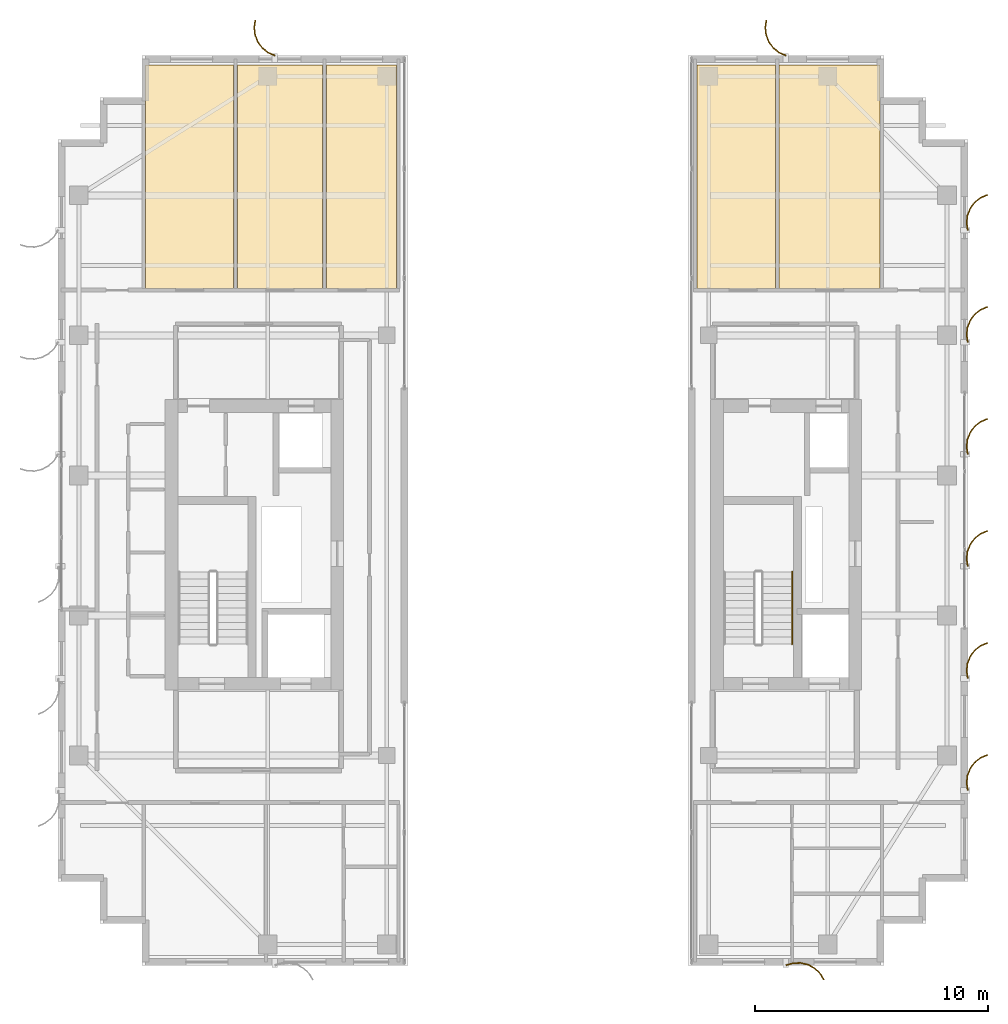
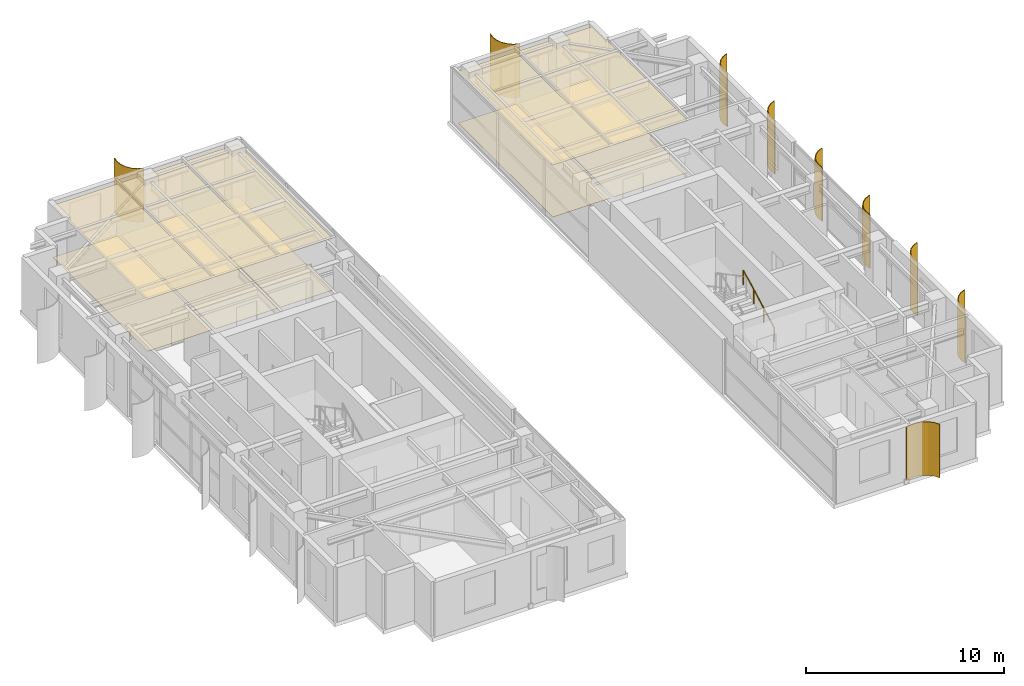
# One storey, part 24 of 24: 10 coverings, 9 shading devices, 1 railing.
"""IFC4 building model written with IfcOpenShell, lengths in metres."""

from ifc_helpers import new_model, si_unit, direction, frame, origin, origin_2d, place, context, subcontext, project, spatial, polyline, circle, outline, extrude, source, transform, mapped, material, layer, layer_set, type_object, element, save


model = new_model("IFC4")

# Units and contexts
model_context = context("Model", 3, precision=1e-05, world=origin(), true_north=direction((0.0, 1.0)))
body_context = subcontext(model_context, "Body", "Model", "MODEL_VIEW")
ifc_project = project(units=[si_unit("LENGTHUNIT", "METRE"), si_unit("AREAUNIT", "SQUARE_METRE"), si_unit("VOLUMEUNIT", "CUBIC_METRE"), si_unit("PLANEANGLEUNIT", "RADIAN"), si_unit("MASSUNIT", "GRAM", prefix="KILO")], contexts=[model_context])

# Site, building, storey
site_placement = place(None, origin())
site = spatial("IfcSite", under=ifc_project, at=site_placement, CompositionType="ELEMENT")
building_placement = place(site_placement, origin())
building = spatial("IfcBuilding", under=site, at=building_placement, Name="Khoralis Quay Care Tower", CompositionType="ELEMENT")
storey_placement = place(building_placement, frame((0.0, 0.0, 238.5)))
storey = spatial("IfcBuildingStorey", under=building, at=storey_placement, Name="L62", CompositionType="ELEMENT", Elevation=238.5)

# Coverings
ifc_material_1 = material(Name="Mineral-fibre acoustic ceiling tile")
ifc_layer_1 = layer(ifc_material_1, 0.01806640625)
ifc_layer_set_1 = layer_set([ifc_layer_1], Name="Mineral-fibre acoustic ceiling tile")
covering_type_1 = type_object("IfcCoveringType", Name="COV-CEIL-AC18", PredefinedType="CEILING", material=ifc_layer_set_1)
covering_1_placement = place(storey_placement, frame((0.0, 0.0, 3.2119140625)))
element("IfcCovering", 1, at=covering_1_placement, inside=storey, type_object=covering_type_1, Name="Suspended Acoustic Ceiling SP-L62-WN-COM0", PredefinedType="CEILING", context=body_context, shape_type="SweptSolid", body=[
    extrude(outline(polyline([(6.760009765625, 32.02001953125), (10.530029296875, 32.02001953125), (10.530029296875, 41.580078125), (6.760009765625, 41.580078125), (6.760009765625, 32.02001953125)])), origin(), (0.0, 0.0, 1.0), 0.01806640625),
])
covering_2_placement = place(storey_placement, frame((0.0, 0.0, 3.2119140625)))
element("IfcCovering", 2, at=covering_2_placement, inside=storey, type_object=covering_type_1, Name="Suspended Acoustic Ceiling SP-L62-WN-COM1", PredefinedType="CEILING", context=body_context, shape_type="SweptSolid", body=[
    extrude(outline(polyline([(10.68994140625, 32.02001953125), (14.35009765625, 32.02001953125), (14.35009765625, 41.580078125), (10.68994140625, 41.580078125), (10.68994140625, 32.02001953125)])), origin(), (0.0, 0.0, 1.0), 0.01806640625),
])
covering_3_placement = place(storey_placement, frame((0.0, 0.0, 3.2119140625)))
element("IfcCovering", 3, at=covering_3_placement, inside=storey, type_object=covering_type_1, Name="Suspended Acoustic Ceiling SP-L62-WN-COM2", PredefinedType="CEILING", context=body_context, shape_type="SweptSolid", body=[
    extrude(outline(polyline([(14.510009765625, 32.02001953125), (17.52001953125, 32.02001953125), (17.52001953125, 41.580078125), (14.510009765625, 41.580078125), (14.510009765625, 32.02001953125)])), origin(), (0.0, 0.0, 1.0), 0.01806640625),
])
covering_4_placement = place(storey_placement, frame((0.0, 0.0, 3.2119140625)))
element("IfcCovering", 4, at=covering_4_placement, inside=storey, type_object=covering_type_1, Name="Suspended Acoustic Ceiling SP-L62-EN-COM0", PredefinedType="CEILING", context=body_context, shape_type="SweptSolid", body=[
    extrude(outline(polyline([(30.3798828125, 32.02001953125), (33.75, 32.02001953125), (33.75, 41.580078125), (30.3798828125, 41.580078125), (30.3798828125, 32.02001953125)])), origin(), (0.0, 0.0, 1.0), 0.01806640625),
])
covering_5_placement = place(storey_placement, frame((0.0, 0.0, 3.2119140625)))
element("IfcCovering", 5, at=covering_5_placement, inside=storey, type_object=covering_type_1, Name="Suspended Acoustic Ceiling SP-L62-EN-COM1", PredefinedType="CEILING", context=body_context, shape_type="SweptSolid", body=[
    extrude(outline(polyline([(33.909912109375, 32.02001953125), (38.239990234375, 32.02001953125), (38.239990234375, 41.580078125), (33.909912109375, 41.580078125), (33.909912109375, 32.02001953125)])), origin(), (0.0, 0.0, 1.0), 0.01806640625),
])
ifc_material_2 = material(Name="Porcelain and non-slip vinyl flooring")
ifc_layer_2 = layer(ifc_material_2, 0.02001953125)
ifc_layer_set_2 = layer_set([ifc_layer_2], Name="Porcelain and non-slip vinyl flooring")
covering_type_2 = type_object("IfcCoveringType", Name="COV-FLOOR-20", PredefinedType="FLOORING", material=ifc_layer_set_2)
covering_6_placement = place(storey_placement, origin())
element("IfcCovering", 6, at=covering_6_placement, inside=storey, type_object=covering_type_2, Name="Resilient Healthcare Flooring SP-L62-WN-COM0", PredefinedType="FLOORING", context=body_context, shape_type="SweptSolid", body=[
    extrude(outline(polyline([(6.760009765625, 32.02001953125), (10.530029296875, 32.02001953125), (10.530029296875, 41.580078125), (6.760009765625, 41.580078125), (6.760009765625, 32.02001953125)])), origin(), (0.0, 0.0, 1.0), 0.02001953125),
])
covering_7_placement = place(storey_placement, origin())
element("IfcCovering", 7, at=covering_7_placement, inside=storey, type_object=covering_type_2, Name="Resilient Healthcare Flooring SP-L62-WN-COM1", PredefinedType="FLOORING", context=body_context, shape_type="SweptSolid", body=[
    extrude(outline(polyline([(10.68994140625, 32.02001953125), (14.35009765625, 32.02001953125), (14.35009765625, 41.580078125), (10.68994140625, 41.580078125), (10.68994140625, 32.02001953125)])), origin(), (0.0, 0.0, 1.0), 0.02001953125),
])
covering_8_placement = place(storey_placement, origin())
element("IfcCovering", 8, at=covering_8_placement, inside=storey, type_object=covering_type_2, Name="Resilient Healthcare Flooring SP-L62-WN-COM2", PredefinedType="FLOORING", context=body_context, shape_type="SweptSolid", body=[
    extrude(outline(polyline([(14.510009765625, 32.02001953125), (17.52001953125, 32.02001953125), (17.52001953125, 41.580078125), (14.510009765625, 41.580078125), (14.510009765625, 32.02001953125)])), origin(), (0.0, 0.0, 1.0), 0.02001953125),
])
covering_9_placement = place(storey_placement, origin())
element("IfcCovering", 9, at=covering_9_placement, inside=storey, type_object=covering_type_2, Name="Resilient Healthcare Flooring SP-L62-EN-COM0", PredefinedType="FLOORING", context=body_context, shape_type="SweptSolid", body=[
    extrude(outline(polyline([(30.3798828125, 32.02001953125), (33.75, 32.02001953125), (33.75, 41.580078125), (30.3798828125, 41.580078125), (30.3798828125, 32.02001953125)])), origin(), (0.0, 0.0, 1.0), 0.02001953125),
])
covering_10_placement = place(storey_placement, origin())
element("IfcCovering", 10, at=covering_10_placement, inside=storey, type_object=covering_type_2, Name="Resilient Healthcare Flooring SP-L62-EN-COM1", PredefinedType="FLOORING", context=body_context, shape_type="SweptSolid", body=[
    extrude(outline(polyline([(33.909912109375, 32.02001953125), (38.239990234375, 32.02001953125), (38.239990234375, 41.580078125), (33.909912109375, 41.580078125), (33.909912109375, 32.02001953125)])), origin(), (0.0, 0.0, 1.0), 0.02001953125),
])

# Railing
ifc_material_3 = material(Name="Brushed stainless steel", Category="steel")
railing_type = type_object("IfcRailingType", Name="RL-HAND-900", PredefinedType="HANDRAIL", material=ifc_material_3)
railing_placement = place(storey_placement, frame((34.469970703125, 16.77001953125, 0.16357421875)))
element("IfcRailing", 11, at=railing_placement, inside=storey, type_object=railing_type, Name="L62 ST-T2 stair handrail 1", PredefinedType="HANDRAIL", context=body_context, shape_type="SweptSolid", body=[
    extrude(circle(Radius=0.02392578125, at=origin_2d()), frame((0.0, 0.0, 0.8759765625), z_axis=(0.0, 0.884348015382, 0.466828220752), x_axis=(-1.0, 0.0, 0.0)), (0.0, 0.0, 1.0), 3.505615234375),
    extrude(circle(Radius=0.02099609375, at=origin_2d()), origin(), (0.0, 0.0, 1.0), 0.851806640625),
    extrude(circle(Radius=0.02099609375, at=origin_2d()), frame((0.0, 1.033447265625, 0.54541015625)), (0.0, 0.0, 1.0), 0.851806640625),
    extrude(circle(Radius=0.02099609375, at=origin_2d()), frame((0.0, 2.066650390625, 1.091064453125)), (0.0, 0.0, 1.0), 0.851806640625),
    extrude(circle(Radius=0.02099609375, at=origin_2d()), frame((0.0, 3.10009765625, 1.636474609375)), (0.0, 0.0, 1.0), 0.851806640625),
])

# Shading devices
ifc_material_4 = material(Name="Brushed pale anodised aluminium", Category="aluminium")
ifc_layer_3 = layer(ifc_material_4, 0.044921875)
ifc_layer_set_3 = layer_set([ifc_layer_3], Name="Brushed pale anodised aluminium")
shading_device_type = type_object("IfcShadingDeviceType", Name="SHD-FIN-1250", PredefinedType="USERDEFINED", material=ifc_layer_set_3)
shared_shape_1 = source(origin(), body_context, "Body", "SweptSolid", [
    extrude(outline(polyline([(0.0, 0.0), (0.130126953125, 0.29931640625), (0.333251953125, 0.5546875), (0.595458984375, 0.748779296875), (0.899169921875, 0.868408203125), (1.223388671875, 0.9052734375), (1.546142578125, 0.85693359375), (1.53369140625, 0.813720703125), (1.22265625, 0.8603515625), (0.91015625, 0.82470703125), (0.617431640625, 0.70947265625), (0.364501953125, 0.522216796875), (0.168701171875, 0.276123046875), (0.043212890625, -0.012451171875), (0.0, 0.0)])), origin(), (0.0, 0.0, 1.0), 3.300048828125),
])
for number, where, z_axis, x_axis, name in (
    (12, (12.300048828125, 41.969970703125, 0.02001953125), (0.0, 0.0, 1.0), (0.0, 1.0, 0.0), "L62 Curved Solar Fin P1E2-01"),
    (13, (34.199951171875, 41.969970703125, 0.02001953125), (0.0, 0.0, 1.0), (0.0, 1.0, 0.0), "L62 Curved Solar Fin P2E10-01"),
):
    element("IfcShadingDevice", number, at=place(storey_placement, frame(where, z_axis=z_axis, x_axis=x_axis)), inside=storey, type_object=shading_device_type, Name=name, ObjectType="FIN", PredefinedType="USERDEFINED", context=body_context, shape_type="MappedRepresentation", body=[
        mapped(shared_shape_1, transform((0.0, 0.0, 0.0), scale=1.0)),
    ])
shared_shape_2 = source(origin(), body_context, "Body", "SweptSolid", [
    extrude(outline(polyline([(0.0, 0.0), (-0.04833984375, 0.32275390625), (-0.01123046875, 0.64697265625), (0.1083984375, 0.950439453125), (0.302490234375, 1.212890625), (0.557861328125, 1.416015625), (0.85693359375, 1.546142578125), (0.869384765625, 1.5029296875), (0.5810546875, 1.37744140625), (0.334716796875, 1.181640625), (0.147705078125, 0.9287109375), (0.032470703125, 0.635986328125), (-0.003173828125, 0.323486328125), (0.043212890625, 0.012451171875), (0.0, 0.0)])), origin(), (0.0, 0.0, 1.0), 3.300048828125),
])
for number, where, z_axis, x_axis, name in (
    (14, (41.969970703125, 10.5, 0.02001953125), (0.0, 0.0, 1.0), (1.0, 0.0, 0.0), "L62 Curved Solar Fin P2E5-01"),
    (15, (41.969970703125, 15.300048828125, 0.02001953125), (0.0, 0.0, 1.0), (1.0, 0.0, 0.0), "L62 Curved Solar Fin P2E5-02"),
    (16, (41.969970703125, 20.10009765625, 0.02001953125), (0.0, 0.0, 1.0), (1.0, 0.0, 0.0), "L62 Curved Solar Fin P2E5-03"),
    (17, (41.969970703125, 24.89990234375, 0.02001953125), (0.0, 0.0, 1.0), (1.0, 0.0, 0.0), "L62 Curved Solar Fin P2E5-04"),
    (18, (41.969970703125, 29.699951171875, 0.02001953125), (0.0, 0.0, 1.0), (1.0, 0.0, 0.0), "L62 Curved Solar Fin P2E5-05"),
    (19, (41.969970703125, 34.5, 0.02001953125), (0.0, 0.0, 1.0), (1.0, 0.0, 0.0), "L62 Curved Solar Fin P2E5-06"),
):
    element("IfcShadingDevice", number, at=place(storey_placement, frame(where, z_axis=z_axis, x_axis=x_axis)), inside=storey, type_object=shading_device_type, Name=name, ObjectType="FIN", PredefinedType="USERDEFINED", context=body_context, shape_type="MappedRepresentation", body=[
        mapped(shared_shape_2, transform((0.0, 0.0, 0.0), scale=1.0)),
    ])
shared_shape_3 = source(origin(), body_context, "Body", "SweptSolid", [
    extrude(outline(polyline([(0.0, 0.0), (-0.0927734375, 0.31298828125), (-0.101318359375, 0.63916015625), (-0.025146484375, 0.956298828125), (0.130615234375, 1.2431640625), (0.355224609375, 1.479736328125), (0.633544921875, 1.650390625), (0.65185546875, 1.609130859375), (0.383544921875, 1.44482421875), (0.1669921875, 1.216796875), (0.01708984375, 0.940185546875), (-0.056396484375, 0.63427734375), (-0.04833984375, 0.31982421875), (0.041015625, 0.018310546875), (0.0, 0.0)])), origin(), (0.0, 0.0, 1.0), 3.300048828125),
])
shading_device_placement = place(storey_placement, frame((34.199951171875, 3.030029296875, 0.02001953125), z_axis=(0.0, 0.0, 1.0), x_axis=(0.0, -1.0, 0.0)))
element("IfcShadingDevice", 20, at=shading_device_placement, inside=storey, type_object=shading_device_type, Name="L62 Curved Solar Fin P2E0-01", ObjectType="FIN", PredefinedType="USERDEFINED", context=body_context, shape_type="MappedRepresentation", body=[
    mapped(shared_shape_3, transform((0.0, 0.0, 0.0), scale=1.0)),
])

save(model, "model.ifc")
